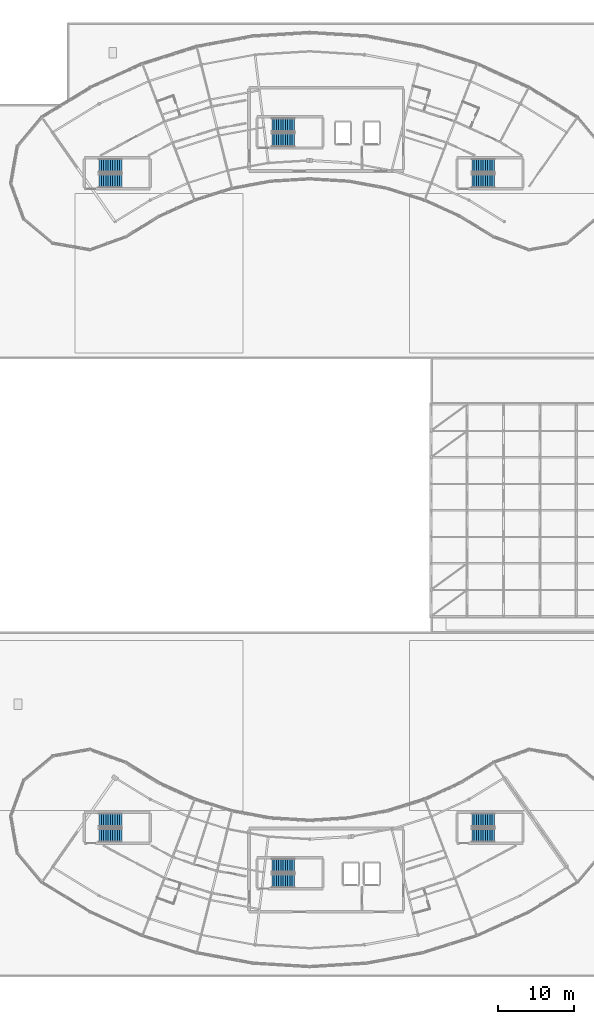
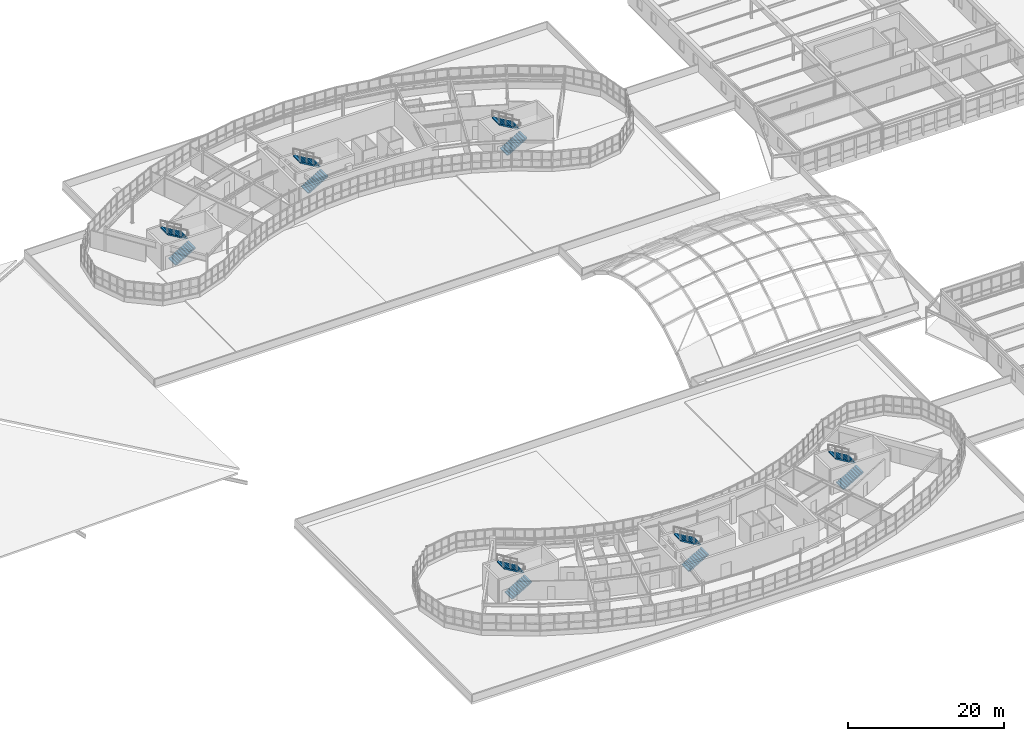
# One storey, part 113 of 128: 12 stair flights, 6 elements without a shape of their own.
"""IFC4 building model written with IfcOpenShell, lengths in metres."""

import ifcopenshell
import ifcopenshell.guid

model = None  # the IFC model being written
_history = None  # IfcOwnerHistory: only IFC2X3 demands one
_inside = {}  # id of a spatial element -> (the spatial element, [elements in it])
_under = {}  # id of a project, library or spatial element -> (it, [spatial elements below it])
_declared = {}  # id of a project -> (the project, [libraries it declares])
_typed = {}  # id of a type object -> (the type object, [elements of that type])
_made_of = {}  # id of a material, layer set ... -> (it, [elements and type objects made of it])


def new_model(schema):
    """Start an empty IFC model of exactly this schema.

    Asked for "IFC4X3", IfcOpenShell would pick the latest addendum, in which some entities
    have other attributes; the version numbers below select the first issue.
    IFC2X3 requires an IfcOwnerHistory on every rooted entity: one is made here for all.
    """
    global model, _history
    if schema == "IFC4X3":
        model = ifcopenshell.file(schema_version=(4, 3, 0, 0))
    else:
        model = ifcopenshell.file(schema=schema)
    _inside.clear()
    _under.clear()
    _declared.clear()
    _typed.clear()
    _made_of.clear()
    _history = None
    if model.schema == "IFC2X3":
        org = make("IfcOrganization", Name="unknown")
        user = make(
            "IfcPersonAndOrganization",
            ThePerson=make("IfcPerson", FamilyName="unknown"),
            TheOrganization=org,
        )
        app = make(
            "IfcApplication",
            ApplicationDeveloper=org,
            Version="unknown",
            ApplicationFullName="unknown",
            ApplicationIdentifier="unknown",
        )
        _history = make(
            "IfcOwnerHistory",
            OwningUser=user,
            OwningApplication=app,
            ChangeAction="ADDED",
            CreationDate=0,
        )
    return model


def make(cls, **values):
    """One entity of the class cls with the attributes given. An attribute that is None is left unset."""
    return model.create_entity(
        cls, **{name: value for name, value in values.items() if value is not None}
    )


def rooted(cls, **values):
    """An entity with a GlobalId (a new one), such as an element, a storey or a relation."""
    return make(cls, GlobalId=ifcopenshell.guid.new(), OwnerHistory=_history, **values)


def si_unit(unit_type, name, prefix=None):
    """IfcSIUnit, for example si_unit("LENGTHUNIT", "METRE", prefix="MILLI")."""
    return make("IfcSIUnit", UnitType=unit_type, Prefix=prefix, Name=name)


def assignment(units):
    """IfcUnitAssignment: the units of a project."""
    return None if units is None else make("IfcUnitAssignment", Units=units)


def point(xyz):
    """IfcCartesianPoint."""
    return None if xyz is None else make("IfcCartesianPoint", Coordinates=xyz)


def direction(xyz):
    """IfcDirection."""
    return None if xyz is None else make("IfcDirection", DirectionRatios=xyz)


def frame(location, z_axis=None, x_axis=None):
    """IfcAxis2Placement3D, a coordinate frame: its origin and axes. An axis left out is left unset."""
    return make(
        "IfcAxis2Placement3D",
        Location=point(location),
        Axis=direction(z_axis),
        RefDirection=direction(x_axis),
    )


def origin():
    """The frame at (0, 0, 0) with its axes left unset."""
    return frame((0.0, 0.0, 0.0))


def place(relative_to, where):
    """IfcLocalPlacement: puts the frame where relative to a parent placement (None: the world)."""
    return make(
        "IfcLocalPlacement", PlacementRelTo=relative_to, RelativePlacement=where
    )


def context(
    kind, dimensions, precision=None, world=None, true_north=None, identifier=None
):
    """IfcGeometricRepresentationContext, for example the 3D "Model" context."""
    return make(
        "IfcGeometricRepresentationContext",
        ContextIdentifier=identifier,
        ContextType=kind,
        CoordinateSpaceDimension=dimensions,
        Precision=precision,
        WorldCoordinateSystem=world,
        TrueNorth=true_north,
    )


def subcontext(parent, identifier, kind, view, scale=None):
    """IfcGeometricRepresentationSubContext, for example "Body" below "Model"."""
    return make(
        "IfcGeometricRepresentationSubContext",
        ContextIdentifier=identifier,
        ContextType=kind,
        ParentContext=parent,
        TargetScale=scale,
        TargetView=view,
    )


def project(units=None, contexts=None):
    """IfcProject with its units and contexts."""
    return rooted(
        "IfcProject",
        Name="project",
        RepresentationContexts=contexts,
        UnitsInContext=assignment(units),
    )


def spatial(cls, under=None, at=None, **own):
    """A site, building, storey or space (cls), placed at a placement, below another one or the project."""
    s = rooted(cls, ObjectPlacement=at, **own)
    if under is not None:
        _under.setdefault(under.id(), (under, []))[1].append(s)
    return s


def polyline(points):
    """IfcPolyline through the points."""
    return make("IfcPolyline", Points=[point(p) for p in points])


def outline(outer, holes=None, kind="AREA"):
    """IfcArbitraryClosedProfileDef: a profile drawn as a closed curve; with holes, ...WithVoids."""
    if holes is None:
        return make("IfcArbitraryClosedProfileDef", ProfileType=kind, OuterCurve=outer)
    return make(
        "IfcArbitraryProfileDefWithVoids",
        ProfileType=kind,
        OuterCurve=outer,
        InnerCurves=holes,
    )


def extrude(swept, where, along, depth):
    """IfcExtrudedAreaSolid: the profile swept, set in the frame where, extruded along a direction by depth."""
    return make(
        "IfcExtrudedAreaSolid",
        SweptArea=swept,
        Position=where,
        ExtrudedDirection=direction(along),
        Depth=depth,
    )


def shape(context_of_items, identifier, shape_type, items):
    """IfcShapeRepresentation: the items that make up one representation, for example the "Body"."""
    return make(
        "IfcShapeRepresentation",
        ContextOfItems=context_of_items,
        RepresentationIdentifier=identifier,
        RepresentationType=shape_type,
        Items=items,
    )


def material(Name=None, Category=None):
    """IfcMaterial."""
    return make("IfcMaterial", Name=Name, Category=Category)


def made_of(thing, what):
    """Note that an element or type object is made of a material, layer set ...; save() writes the relation."""
    if what is not None:
        _made_of.setdefault(what.id(), (what, []))[1].append(thing)
    return thing


def type_object(cls, material=None, **own):
    """A type object (cls), such as IfcWallType, which elements share."""
    return made_of(rooted(cls, **own), material)


def element(
    cls,
    number,
    at=None,
    inside=None,
    cuts=None,
    type_object=None,
    material=None,
    context=None,
    identifier="Body",
    shape_type=None,
    held_by="IfcProductDefinitionShape",
    body=None,
    shapes=None,
    **own,
):
    """One element of the class cls, such as IfcWall. Its Tag is "e" and its number.

    at: its placement. inside: the storey or other place that contains it. cuts: it is an
    opening in that element (IfcRelVoidsElement). A single representation is given by context,
    identifier, shape_type and body (its items); several are given by shapes. held_by: the class
    of the entity that holds the representations. save() writes the other relations.
    """
    e = rooted(cls, Tag="e%d" % number, ObjectPlacement=at, **own)
    if body is not None:
        shapes = [shape(context, identifier, shape_type, body)]
    if shapes is not None:
        e.Representation = make(held_by, Representations=shapes)
    if inside is not None:
        _inside.setdefault(inside.id(), (inside, []))[1].append(e)
    if cuts is not None:
        rooted(
            "IfcRelVoidsElement", RelatingBuildingElement=cuts, RelatedOpeningElement=e
        )
    if type_object is not None:
        _typed.setdefault(type_object.id(), (type_object, []))[1].append(e)
    return made_of(e, material)


def aggregate(whole, parts):
    """IfcRelAggregates: a whole, such as a stair, and the parts it consists of."""
    return rooted("IfcRelAggregates", RelatingObject=whole, RelatedObjects=parts)


def save(model, path):
    """Write the relations noted so far, then the file.

    IfcRelAggregates (storeys below a building ...), IfcRelContainedInSpatialStructure (elements
    in a storey), IfcRelDefinesByType, IfcRelAssociatesMaterial and IfcRelDeclares: one each for
    every whole, place, type object, material and project.
    """
    for whole, parts in _under.values():
        aggregate(whole, parts)
    for where, things in _inside.values():
        rooted(
            "IfcRelContainedInSpatialStructure",
            RelatedElements=things,
            RelatingStructure=where,
        )
    for kind, things in _typed.values():
        rooted("IfcRelDefinesByType", RelatedObjects=things, RelatingType=kind)
    for what, things in _made_of.values():
        rooted("IfcRelAssociatesMaterial", RelatedObjects=things, RelatingMaterial=what)
    for by, libraries in _declared.values():
        rooted("IfcRelDeclares", RelatingContext=by, RelatedDefinitions=libraries)
    model.write(path)


model = new_model("IFC4")

# Units and contexts
model_context = context("Model", 3, precision=1e-05, world=origin(), true_north=direction((0.0, 1.0)))
body_context = subcontext(model_context, "Body", "Model", "MODEL_VIEW")
ifc_project = project(units=[si_unit("LENGTHUNIT", "METRE"), si_unit("AREAUNIT", "SQUARE_METRE"), si_unit("VOLUMEUNIT", "CUBIC_METRE"), si_unit("PLANEANGLEUNIT", "RADIAN"), si_unit("MASSUNIT", "GRAM", prefix="KILO")], contexts=[model_context])

# Site, building, storey
site_placement = place(None, origin())
site = spatial("IfcSite", under=ifc_project, at=site_placement, CompositionType="ELEMENT")
building_placement = place(site_placement, origin())
building = spatial("IfcBuilding", under=site, at=building_placement, Name="Tarnwether General Hospital", CompositionType="ELEMENT")
storey_placement = place(building_placement, frame((0.0, 0.0, 14.39990234375)))
storey = spatial("IfcBuildingStorey", under=building, at=storey_placement, Name="L03", CompositionType="ELEMENT", Elevation=14.39990234375)

# Stair, stair flights
ifc_material_1 = material(Name="Concrete 40 MPa", Category="concrete")
stair_type_1 = type_object("IfcStairType", Name="ST-DL39A", PredefinedType="HALF_TURN_STAIR", material=ifc_material_1)
stair_1_placement = place(storey_placement, origin())
stair_1 = element("IfcStair", 1, at=stair_1_placement, inside=storey, type_object=stair_type_1, Name="L03 Exit Stair ST-01", PredefinedType="HALF_TURN_STAIR")
ifc_material_2 = material(Name="Concrete 40 MPa", Category="concrete")
stair_flight_type_1 = type_object("IfcStairFlightType", Name="SF-39A", PredefinedType="STRAIGHT", material=ifc_material_2)
stair_flight_1_placement = place(storey_placement, frame((87.0, 110.5, 0.0), z_axis=(0.0, 0.0, 1.0), x_axis=(1.0, 0.0, 0.0)))
stair_flight_1 = element("IfcStairFlight", 2, at=stair_flight_1_placement, type_object=stair_flight_type_1, Name="ST-01 flight 1", NumberOfRisers=11, NumberOfTreads=10, PredefinedType="STRAIGHT", RiserHeight=0.177272727, TreadLength=0.3, context=body_context, shape_type="SweptSolid", body=[
    extrude(outline(polyline([(0.0, 0.0), (0.0, 0.17724609375), (0.300048828125, 0.17724609375), (0.300048828125, 0.3544921875), (0.60009765625, 0.3544921875), (0.60009765625, 0.53173828125), (0.89990234375, 0.53173828125), (0.89990234375, 0.708984375), (1.199951171875, 0.708984375), (1.199951171875, 0.886474609375), (1.5, 0.886474609375), (1.5, 1.063720703125), (1.800048828125, 1.063720703125), (1.800048828125, 1.240966796875), (2.10009765625, 1.240966796875), (2.10009765625, 1.418212890625), (2.39990234375, 1.418212890625), (2.39990234375, 1.595458984375), (2.699951171875, 1.595458984375), (2.699951171875, 1.772705078125), (3.0, 1.772705078125), (3.0, 1.949951171875), (3.0, 1.5986328125), (0.294677734375, 0.0), (0.0, 0.0)])), frame((0.0, 0.89990234375, 0.0), z_axis=(0.0, -1.0, 0.0), x_axis=(1.0, 0.0, 0.0)), (0.0, 0.0, 1.0), 1.800048828125),
])
stair_flight_2_placement = place(storey_placement, frame((90.0, 112.5, 1.9501953125), z_axis=(0.0, 0.0, 1.0), x_axis=(-1.0, 0.0, 0.0)))
stair_flight_2 = element("IfcStairFlight", 3, at=stair_flight_2_placement, type_object=stair_flight_type_1, Name="ST-01 flight 2", NumberOfRisers=11, NumberOfTreads=10, PredefinedType="STRAIGHT", RiserHeight=0.177272727, TreadLength=0.3, context=body_context, shape_type="SweptSolid", body=[
    extrude(outline(polyline([(0.0, 0.0), (0.0, 0.17724609375), (0.300048828125, 0.17724609375), (0.300048828125, 0.3544921875), (0.60009765625, 0.3544921875), (0.60009765625, 0.53173828125), (0.89990234375, 0.53173828125), (0.89990234375, 0.708984375), (1.199951171875, 0.708984375), (1.199951171875, 0.886474609375), (1.5, 0.886474609375), (1.5, 1.063720703125), (1.800048828125, 1.063720703125), (1.800048828125, 1.240966796875), (2.10009765625, 1.240966796875), (2.10009765625, 1.418212890625), (2.39990234375, 1.418212890625), (2.39990234375, 1.595458984375), (2.699951171875, 1.595458984375), (2.699951171875, 1.772705078125), (3.0, 1.772705078125), (3.0, 1.949951171875), (3.0, 1.5986328125), (0.294677734375, 0.0), (0.0, 0.0)])), frame((0.0, 0.89990234375, 0.0), z_axis=(0.0, -1.0, 0.0), x_axis=(1.0, 0.0, 0.0)), (0.0, 0.0, 1.0), 1.800048828125),
])
aggregate(stair_1, [stair_flight_1, stair_flight_2])

stair_2_placement = place(storey_placement, origin())
stair_2 = element("IfcStair", 4, at=stair_2_placement, inside=storey, type_object=stair_type_1, Name="L03 Exit Stair ST-07", PredefinedType="HALF_TURN_STAIR")
stair_flight_3_placement = place(storey_placement, frame((64.199951171875, 105.10009765625, 0.0), z_axis=(0.0, 0.0, 1.0), x_axis=(1.0, 0.0, 0.0)))
stair_flight_3 = element("IfcStairFlight", 5, at=stair_flight_3_placement, type_object=stair_flight_type_1, Name="ST-07 flight 1", NumberOfRisers=11, NumberOfTreads=10, PredefinedType="STRAIGHT", RiserHeight=0.177272727, TreadLength=0.3, context=body_context, shape_type="SweptSolid", body=[
    extrude(outline(polyline([(0.0, 0.0), (0.0, 0.17724609375), (0.300048828125, 0.17724609375), (0.300048828125, 0.3544921875), (0.60009765625, 0.3544921875), (0.60009765625, 0.53173828125), (0.89990234375, 0.53173828125), (0.89990234375, 0.708984375), (1.199951171875, 0.708984375), (1.199951171875, 0.886474609375), (1.5, 0.886474609375), (1.5, 1.063720703125), (1.800048828125, 1.063720703125), (1.800048828125, 1.240966796875), (2.10009765625, 1.240966796875), (2.10009765625, 1.418212890625), (2.39990234375, 1.418212890625), (2.39990234375, 1.595458984375), (2.699951171875, 1.595458984375), (2.699951171875, 1.772705078125), (3.0, 1.772705078125), (3.0, 1.949951171875), (3.0, 1.5986328125), (0.294677734375, 0.0), (0.0, 0.0)])), frame((0.0, 0.89990234375, 0.0), z_axis=(0.0, -1.0, 0.0), x_axis=(1.0, 0.0, 0.0)), (0.0, 0.0, 1.0), 1.800048828125),
])
stair_flight_4_placement = place(storey_placement, frame((67.199951171875, 107.10009765625, 1.9501953125), z_axis=(0.0, 0.0, 1.0), x_axis=(-1.0, 0.0, 0.0)))
stair_flight_4 = element("IfcStairFlight", 6, at=stair_flight_4_placement, type_object=stair_flight_type_1, Name="ST-07 flight 2", NumberOfRisers=11, NumberOfTreads=10, PredefinedType="STRAIGHT", RiserHeight=0.177272727, TreadLength=0.3, context=body_context, shape_type="SweptSolid", body=[
    extrude(outline(polyline([(0.0, 0.0), (0.0, 0.17724609375), (0.300048828125, 0.17724609375), (0.300048828125, 0.3544921875), (0.60009765625, 0.3544921875), (0.60009765625, 0.53173828125), (0.89990234375, 0.53173828125), (0.89990234375, 0.708984375), (1.199951171875, 0.708984375), (1.199951171875, 0.886474609375), (1.5, 0.886474609375), (1.5, 1.063720703125), (1.800048828125, 1.063720703125), (1.800048828125, 1.240966796875), (2.10009765625, 1.240966796875), (2.10009765625, 1.418212890625), (2.39990234375, 1.418212890625), (2.39990234375, 1.595458984375), (2.699951171875, 1.595458984375), (2.699951171875, 1.772705078125), (3.0, 1.772705078125), (3.0, 1.949951171875), (3.0, 1.5986328125), (0.294677734375, 0.0), (0.0, 0.0)])), frame((0.0, 0.89990234375, 0.0), z_axis=(0.0, -1.0, 0.0), x_axis=(1.0, 0.0, 0.0)), (0.0, 0.0, 1.0), 1.800048828125),
])
aggregate(stair_2, [stair_flight_3, stair_flight_4])

stair_3_placement = place(storey_placement, origin())
stair_3 = element("IfcStair", 7, at=stair_3_placement, inside=storey, type_object=stair_type_1, Name="L03 Exit Stair ST-09", PredefinedType="HALF_TURN_STAIR")
stair_flight_5_placement = place(storey_placement, frame((64.199951171875, 18.699951171875, 0.0), z_axis=(0.0, 0.0, 1.0), x_axis=(1.0, 0.0, 0.0)))
stair_flight_5 = element("IfcStairFlight", 8, at=stair_flight_5_placement, type_object=stair_flight_type_1, Name="ST-09 flight 1", NumberOfRisers=11, NumberOfTreads=10, PredefinedType="STRAIGHT", RiserHeight=0.177272727, TreadLength=0.3, context=body_context, shape_type="SweptSolid", body=[
    extrude(outline(polyline([(0.0, 0.0), (0.0, 0.17724609375), (0.300048828125, 0.17724609375), (0.300048828125, 0.3544921875), (0.60009765625, 0.3544921875), (0.60009765625, 0.53173828125), (0.89990234375, 0.53173828125), (0.89990234375, 0.708984375), (1.199951171875, 0.708984375), (1.199951171875, 0.886474609375), (1.5, 0.886474609375), (1.5, 1.063720703125), (1.800048828125, 1.063720703125), (1.800048828125, 1.240966796875), (2.10009765625, 1.240966796875), (2.10009765625, 1.418212890625), (2.39990234375, 1.418212890625), (2.39990234375, 1.595458984375), (2.699951171875, 1.595458984375), (2.699951171875, 1.772705078125), (3.0, 1.772705078125), (3.0, 1.949951171875), (3.0, 1.5986328125), (0.294677734375, 0.0), (0.0, 0.0)])), frame((0.0, 0.89990234375, 0.0), z_axis=(0.0, -1.0, 0.0), x_axis=(1.0, 0.0, 0.0)), (0.0, 0.0, 1.0), 1.800048828125),
])
stair_flight_6_placement = place(storey_placement, frame((67.199951171875, 20.699951171875, 1.9501953125), z_axis=(0.0, 0.0, 1.0), x_axis=(-1.0, 0.0, 0.0)))
stair_flight_6 = element("IfcStairFlight", 9, at=stair_flight_6_placement, type_object=stair_flight_type_1, Name="ST-09 flight 2", NumberOfRisers=11, NumberOfTreads=10, PredefinedType="STRAIGHT", RiserHeight=0.177272727, TreadLength=0.3, context=body_context, shape_type="SweptSolid", body=[
    extrude(outline(polyline([(0.0, 0.0), (0.0, 0.17724609375), (0.300048828125, 0.17724609375), (0.300048828125, 0.3544921875), (0.60009765625, 0.3544921875), (0.60009765625, 0.53173828125), (0.89990234375, 0.53173828125), (0.89990234375, 0.708984375), (1.199951171875, 0.708984375), (1.199951171875, 0.886474609375), (1.5, 0.886474609375), (1.5, 1.063720703125), (1.800048828125, 1.063720703125), (1.800048828125, 1.240966796875), (2.10009765625, 1.240966796875), (2.10009765625, 1.418212890625), (2.39990234375, 1.418212890625), (2.39990234375, 1.595458984375), (2.699951171875, 1.595458984375), (2.699951171875, 1.772705078125), (3.0, 1.772705078125), (3.0, 1.949951171875), (3.0, 1.5986328125), (0.294677734375, 0.0), (0.0, 0.0)])), frame((0.0, 0.89990234375, 0.0), z_axis=(0.0, -1.0, 0.0), x_axis=(1.0, 0.0, 0.0)), (0.0, 0.0, 1.0), 1.800048828125),
])
aggregate(stair_3, [stair_flight_5, stair_flight_6])

ifc_material_3 = material(Name="Concrete 40 MPa", Category="concrete")
stair_type_2 = type_object("IfcStairType", Name="ST-DL39B", PredefinedType="HALF_TURN_STAIR", material=ifc_material_3)
stair_4_placement = place(storey_placement, origin())
stair_4 = element("IfcStair", 10, at=stair_4_placement, inside=storey, type_object=stair_type_2, Name="L03 Exit Stair ST-02", PredefinedType="HALF_TURN_STAIR")
ifc_material_4 = material(Name="Concrete 40 MPa", Category="concrete")
stair_flight_type_2 = type_object("IfcStairFlightType", Name="SF-39B", PredefinedType="STRAIGHT", material=ifc_material_4)
stair_flight_7_placement = place(storey_placement, frame((87.0, 12.699951171875, 0.0), z_axis=(0.0, 0.0, 1.0), x_axis=(1.0, 0.0, 0.0)))
stair_flight_7 = element("IfcStairFlight", 11, at=stair_flight_7_placement, type_object=stair_flight_type_2, Name="ST-02 flight 1", NumberOfRisers=11, NumberOfTreads=10, PredefinedType="STRAIGHT", RiserHeight=0.177272727, TreadLength=0.3, context=body_context, shape_type="SweptSolid", body=[
    extrude(outline(polyline([(0.0, 0.0), (0.0, 0.17724609375), (0.300048828125, 0.17724609375), (0.300048828125, 0.3544921875), (0.60009765625, 0.3544921875), (0.60009765625, 0.53173828125), (0.89990234375, 0.53173828125), (0.89990234375, 0.708984375), (1.199951171875, 0.708984375), (1.199951171875, 0.886474609375), (1.5, 0.886474609375), (1.5, 1.063720703125), (1.800048828125, 1.063720703125), (1.800048828125, 1.240966796875), (2.10009765625, 1.240966796875), (2.10009765625, 1.418212890625), (2.39990234375, 1.418212890625), (2.39990234375, 1.595458984375), (2.699951171875, 1.595458984375), (2.699951171875, 1.772705078125), (3.0, 1.772705078125), (3.0, 1.949951171875), (3.0, 1.5986328125), (0.294677734375, 0.0), (0.0, 0.0)])), frame((0.0, 0.89990234375, 0.0), z_axis=(0.0, -1.0, 0.0), x_axis=(1.0, 0.0, 0.0)), (0.0, 0.0, 1.0), 1.800048828125),
])
stair_flight_8_placement = place(storey_placement, frame((90.0, 14.699951171875, 1.9501953125), z_axis=(0.0, 0.0, 1.0), x_axis=(-1.0, 0.0, 0.0)))
stair_flight_8 = element("IfcStairFlight", 12, at=stair_flight_8_placement, type_object=stair_flight_type_2, Name="ST-02 flight 2", NumberOfRisers=11, NumberOfTreads=10, PredefinedType="STRAIGHT", RiserHeight=0.177272727, TreadLength=0.3, context=body_context, shape_type="SweptSolid", body=[
    extrude(outline(polyline([(0.0, 0.0), (0.0, 0.17724609375), (0.300048828125, 0.17724609375), (0.300048828125, 0.3544921875), (0.60009765625, 0.3544921875), (0.60009765625, 0.53173828125), (0.89990234375, 0.53173828125), (0.89990234375, 0.708984375), (1.199951171875, 0.708984375), (1.199951171875, 0.886474609375), (1.5, 0.886474609375), (1.5, 1.063720703125), (1.800048828125, 1.063720703125), (1.800048828125, 1.240966796875), (2.10009765625, 1.240966796875), (2.10009765625, 1.418212890625), (2.39990234375, 1.418212890625), (2.39990234375, 1.595458984375), (2.699951171875, 1.595458984375), (2.699951171875, 1.772705078125), (3.0, 1.772705078125), (3.0, 1.949951171875), (3.0, 1.5986328125), (0.294677734375, 0.0), (0.0, 0.0)])), frame((0.0, 0.89990234375, 0.0), z_axis=(0.0, -1.0, 0.0), x_axis=(1.0, 0.0, 0.0)), (0.0, 0.0, 1.0), 1.800048828125),
])
aggregate(stair_4, [stair_flight_7, stair_flight_8])

stair_5_placement = place(storey_placement, origin())
stair_5 = element("IfcStair", 13, at=stair_5_placement, inside=storey, type_object=stair_type_2, Name="L03 Exit Stair ST-08", PredefinedType="HALF_TURN_STAIR")
stair_flight_9_placement = place(storey_placement, frame((113.39990234375, 105.10009765625, 0.0), z_axis=(0.0, 0.0, 1.0), x_axis=(1.0, 0.0, 0.0)))
stair_flight_9 = element("IfcStairFlight", 14, at=stair_flight_9_placement, type_object=stair_flight_type_2, Name="ST-08 flight 1", NumberOfRisers=11, NumberOfTreads=10, PredefinedType="STRAIGHT", RiserHeight=0.177272727, TreadLength=0.3, context=body_context, shape_type="SweptSolid", body=[
    extrude(outline(polyline([(0.0, 0.0), (0.0, 0.17724609375), (0.300048828125, 0.17724609375), (0.300048828125, 0.3544921875), (0.60009765625, 0.3544921875), (0.60009765625, 0.53173828125), (0.89990234375, 0.53173828125), (0.89990234375, 0.708984375), (1.199951171875, 0.708984375), (1.199951171875, 0.886474609375), (1.5, 0.886474609375), (1.5, 1.063720703125), (1.800048828125, 1.063720703125), (1.800048828125, 1.240966796875), (2.10009765625, 1.240966796875), (2.10009765625, 1.418212890625), (2.39990234375, 1.418212890625), (2.39990234375, 1.595458984375), (2.699951171875, 1.595458984375), (2.699951171875, 1.772705078125), (3.0, 1.772705078125), (3.0, 1.949951171875), (3.0, 1.5986328125), (0.294677734375, 0.0), (0.0, 0.0)])), frame((0.0, 0.89990234375, 0.0), z_axis=(0.0, -1.0, 0.0), x_axis=(1.0, 0.0, 0.0)), (0.0, 0.0, 1.0), 1.800048828125),
])
stair_flight_10_placement = place(storey_placement, frame((116.39990234375, 107.10009765625, 1.9501953125), z_axis=(0.0, 0.0, 1.0), x_axis=(-1.0, 0.0, 0.0)))
stair_flight_10 = element("IfcStairFlight", 15, at=stair_flight_10_placement, type_object=stair_flight_type_2, Name="ST-08 flight 2", NumberOfRisers=11, NumberOfTreads=10, PredefinedType="STRAIGHT", RiserHeight=0.177272727, TreadLength=0.3, context=body_context, shape_type="SweptSolid", body=[
    extrude(outline(polyline([(0.0, 0.0), (0.0, 0.17724609375), (0.300048828125, 0.17724609375), (0.300048828125, 0.3544921875), (0.60009765625, 0.3544921875), (0.60009765625, 0.53173828125), (0.89990234375, 0.53173828125), (0.89990234375, 0.708984375), (1.199951171875, 0.708984375), (1.199951171875, 0.886474609375), (1.5, 0.886474609375), (1.5, 1.063720703125), (1.800048828125, 1.063720703125), (1.800048828125, 1.240966796875), (2.10009765625, 1.240966796875), (2.10009765625, 1.418212890625), (2.39990234375, 1.418212890625), (2.39990234375, 1.595458984375), (2.699951171875, 1.595458984375), (2.699951171875, 1.772705078125), (3.0, 1.772705078125), (3.0, 1.949951171875), (3.0, 1.5986328125), (0.294677734375, 0.0), (0.0, 0.0)])), frame((0.0, 0.89990234375, 0.0), z_axis=(0.0, -1.0, 0.0), x_axis=(1.0, 0.0, 0.0)), (0.0, 0.0, 1.0), 1.800048828125),
])
aggregate(stair_5, [stair_flight_9, stair_flight_10])

stair_6_placement = place(storey_placement, origin())
stair_6 = element("IfcStair", 16, at=stair_6_placement, inside=storey, type_object=stair_type_2, Name="L03 Exit Stair ST-10", PredefinedType="HALF_TURN_STAIR")
stair_flight_11_placement = place(storey_placement, frame((113.39990234375, 18.699951171875, 0.0), z_axis=(0.0, 0.0, 1.0), x_axis=(1.0, 0.0, 0.0)))
stair_flight_11 = element("IfcStairFlight", 17, at=stair_flight_11_placement, type_object=stair_flight_type_2, Name="ST-10 flight 1", NumberOfRisers=11, NumberOfTreads=10, PredefinedType="STRAIGHT", RiserHeight=0.177272727, TreadLength=0.3, context=body_context, shape_type="SweptSolid", body=[
    extrude(outline(polyline([(0.0, 0.0), (0.0, 0.17724609375), (0.300048828125, 0.17724609375), (0.300048828125, 0.3544921875), (0.60009765625, 0.3544921875), (0.60009765625, 0.53173828125), (0.89990234375, 0.53173828125), (0.89990234375, 0.708984375), (1.199951171875, 0.708984375), (1.199951171875, 0.886474609375), (1.5, 0.886474609375), (1.5, 1.063720703125), (1.800048828125, 1.063720703125), (1.800048828125, 1.240966796875), (2.10009765625, 1.240966796875), (2.10009765625, 1.418212890625), (2.39990234375, 1.418212890625), (2.39990234375, 1.595458984375), (2.699951171875, 1.595458984375), (2.699951171875, 1.772705078125), (3.0, 1.772705078125), (3.0, 1.949951171875), (3.0, 1.5986328125), (0.294677734375, 0.0), (0.0, 0.0)])), frame((0.0, 0.89990234375, 0.0), z_axis=(0.0, -1.0, 0.0), x_axis=(1.0, 0.0, 0.0)), (0.0, 0.0, 1.0), 1.800048828125),
])
stair_flight_12_placement = place(storey_placement, frame((116.39990234375, 20.699951171875, 1.9501953125), z_axis=(0.0, 0.0, 1.0), x_axis=(-1.0, 0.0, 0.0)))
stair_flight_12 = element("IfcStairFlight", 18, at=stair_flight_12_placement, type_object=stair_flight_type_2, Name="ST-10 flight 2", NumberOfRisers=11, NumberOfTreads=10, PredefinedType="STRAIGHT", RiserHeight=0.177272727, TreadLength=0.3, context=body_context, shape_type="SweptSolid", body=[
    extrude(outline(polyline([(0.0, 0.0), (0.0, 0.17724609375), (0.300048828125, 0.17724609375), (0.300048828125, 0.3544921875), (0.60009765625, 0.3544921875), (0.60009765625, 0.53173828125), (0.89990234375, 0.53173828125), (0.89990234375, 0.708984375), (1.199951171875, 0.708984375), (1.199951171875, 0.886474609375), (1.5, 0.886474609375), (1.5, 1.063720703125), (1.800048828125, 1.063720703125), (1.800048828125, 1.240966796875), (2.10009765625, 1.240966796875), (2.10009765625, 1.418212890625), (2.39990234375, 1.418212890625), (2.39990234375, 1.595458984375), (2.699951171875, 1.595458984375), (2.699951171875, 1.772705078125), (3.0, 1.772705078125), (3.0, 1.949951171875), (3.0, 1.5986328125), (0.294677734375, 0.0), (0.0, 0.0)])), frame((0.0, 0.89990234375, 0.0), z_axis=(0.0, -1.0, 0.0), x_axis=(1.0, 0.0, 0.0)), (0.0, 0.0, 1.0), 1.800048828125),
])
aggregate(stair_6, [stair_flight_11, stair_flight_12])

save(model, "model.ifc")
